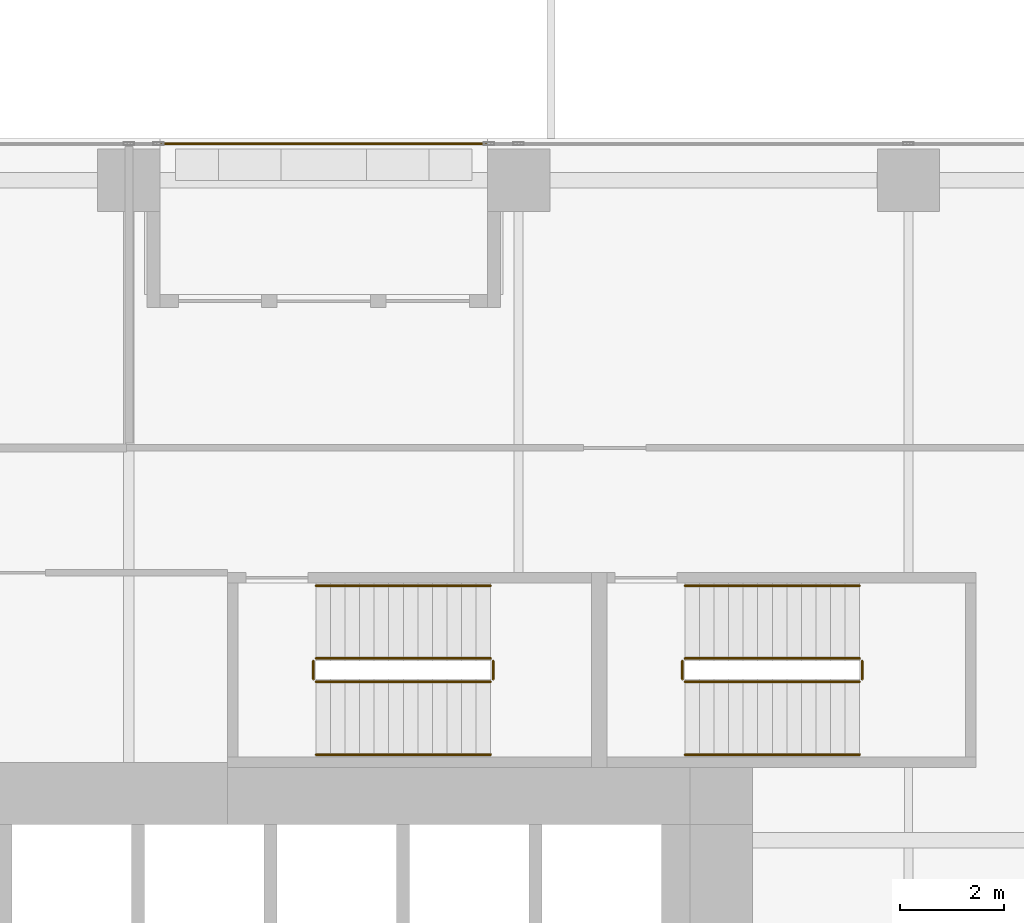
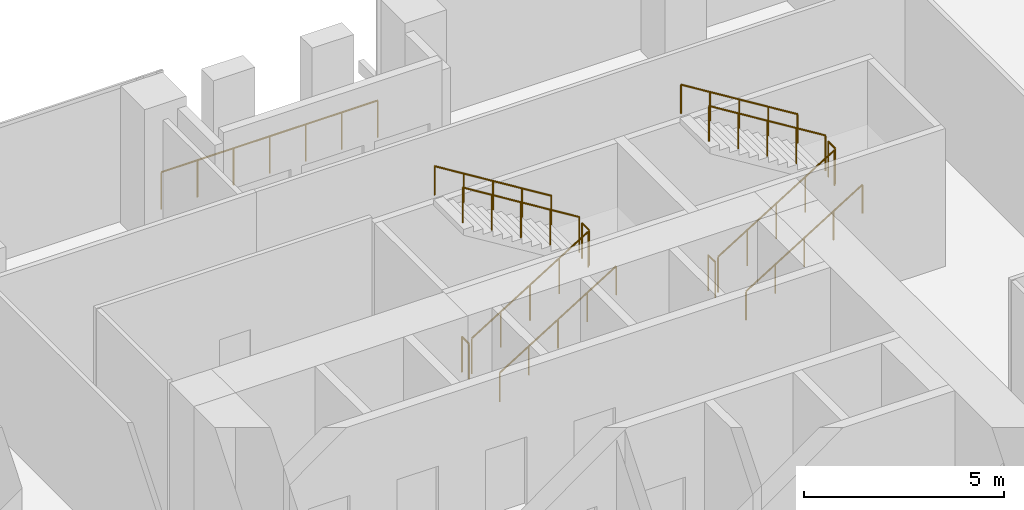
# One storey, part 32 of 33: 13 railings.
"""IFC4 building model written with IfcOpenShell, lengths in metres."""

from ifc_helpers import new_model, si_unit, direction, frame, origin, origin_2d, place, context, subcontext, project, spatial, circle, extrude, source, transform, mapped, material, type_object, element, save


model = new_model("IFC4")

# Units and contexts
model_context = context("Model", 3, precision=1e-05, world=origin(), true_north=direction((0.0, 1.0)))
body_context = subcontext(model_context, "Body", "Model", "MODEL_VIEW")
ifc_project = project(units=[si_unit("LENGTHUNIT", "METRE"), si_unit("AREAUNIT", "SQUARE_METRE"), si_unit("VOLUMEUNIT", "CUBIC_METRE"), si_unit("PLANEANGLEUNIT", "RADIAN"), si_unit("MASSUNIT", "GRAM", prefix="KILO")], contexts=[model_context])

# Site, building, storey
site_placement = place(None, origin())
site = spatial("IfcSite", under=ifc_project, at=site_placement, CompositionType="ELEMENT")
building_placement = place(site_placement, origin())
building = spatial("IfcBuilding", under=site, at=building_placement, Name="Khomas Fold Tower", CompositionType="ELEMENT")
storey_placement = place(building_placement, frame((0.0, 0.0, 78.0)))
storey = spatial("IfcBuildingStorey", under=building, at=storey_placement, Name="L16", CompositionType="ELEMENT", Elevation=78.0)

# Railings
ifc_material_1 = material(Name="Powder-coated steel", Category="steel")
railing_type_1 = type_object("IfcRailingType", Name="Balcony guard", PredefinedType="GUARDRAIL", material=ifc_material_1)
shared_shape_1 = source(origin(), body_context, "Body", "SweptSolid", [
    extrude(circle(Radius=0.02490234375, at=origin_2d()), frame((0.0, 0.0, 1.125), z_axis=(1.0, 0.0, 0.0), x_axis=(0.0, 1.0, 0.0)), (0.0, 0.0, 1.0), 6.240234375),
    extrude(circle(Radius=0.02001953125, at=origin_2d()), origin(), (0.0, 0.0, 1.0), 1.099853515625),
    extrude(circle(Radius=0.02001953125, at=origin_2d()), frame((1.0400390625, 0.0, 0.0)), (0.0, 0.0, 1.0), 1.099853515625),
    extrude(circle(Radius=0.02001953125, at=origin_2d()), frame((2.080078125, 0.0, 0.0)), (0.0, 0.0, 1.0), 1.099853515625),
    extrude(circle(Radius=0.02001953125, at=origin_2d()), frame((3.1201171875, 0.0, 0.0)), (0.0, 0.0, 1.0), 1.099853515625),
    extrude(circle(Radius=0.02001953125, at=origin_2d()), frame((4.16015625, 0.0, 0.0)), (0.0, 0.0, 1.0), 1.099853515625),
    extrude(circle(Radius=0.02001953125, at=origin_2d()), frame((5.2001953125, 0.0, 0.0)), (0.0, 0.0, 1.0), 1.099853515625),
    extrude(circle(Radius=0.02001953125, at=origin_2d()), frame((6.240234375, 0.0, 0.0)), (0.0, 0.0, 1.0), 1.099853515625),
])
railing_1_placement = place(storey_placement, frame((12.6298828125, 53.89990234375, -0.044921875)))
element("IfcRailing", 1, at=railing_1_placement, inside=storey, type_object=railing_type_1, Name="Balcony guard BAL-L16-N1", PredefinedType="GUARDRAIL", context=body_context, shape_type="MappedRepresentation", body=[
    mapped(shared_shape_1, transform((0.0, 0.0, 0.0))),
])
ifc_material_2 = material(Name="Steel balustrade", Category="steel")
railing_type_2 = type_object("IfcRailingType", Name="Stair guard", PredefinedType="GUARDRAIL", material=ifc_material_2)
shared_shape_2 = source(origin(), body_context, "Body", "SweptSolid", [
    extrude(circle(Radius=0.02392578125, at=origin_2d()), frame((0.0, 0.0, 1.076171875), z_axis=(0.850606129759, 0.0, 0.525803396734), x_axis=(0.0, 1.0, 0.0)), (0.0, 0.0, 1.0), 3.949951171875),
    extrude(circle(Radius=0.02099609375, at=origin_2d()), origin(), (0.0, 0.0, 1.0), 1.052001953125),
    extrude(circle(Radius=0.02099609375, at=origin_2d()), frame((0.83984375, 0.0, 0.519287109375)), (0.0, 0.0, 1.0), 1.052001953125),
    extrude(circle(Radius=0.02099609375, at=origin_2d()), frame((1.679931640625, 0.0, 1.03857421875)), (0.0, 0.0, 1.0), 1.052001953125),
    extrude(circle(Radius=0.02099609375, at=origin_2d()), frame((2.52001953125, 0.0, 1.5576171875)), (0.0, 0.0, 1.0), 1.052001953125),
    extrude(circle(Radius=0.02099609375, at=origin_2d()), frame((3.35986328125, 0.0, 2.076904296875)), (0.0, 0.0, 1.0), 1.052001953125),
])
railing_2_placement = place(storey_placement, frame((15.60009765625, 43.550048828125, 0.173095703125)))
element("IfcRailing", 2, at=railing_2_placement, inside=storey, type_object=railing_type_2, Name="L16 ST1 stair guard 1", PredefinedType="GUARDRAIL", context=body_context, shape_type="MappedRepresentation", body=[
    mapped(shared_shape_2, transform((0.0, 0.0, 0.0))),
])
shared_shape_3 = source(origin(), body_context, "Body", "SweptSolid", [
    extrude(circle(Radius=0.02392578125, at=origin_2d()), frame((0.0, 0.0, 1.076171875), z_axis=(0.0, 1.0, 0.0), x_axis=(-1.0, 0.0, 0.0)), (0.0, 0.0, 1.0), 0.349853515625),
    extrude(circle(Radius=0.02099609375, at=origin_2d()), origin(), (0.0, 0.0, 1.0), 1.052001953125),
    extrude(circle(Radius=0.02099609375, at=origin_2d()), frame((0.0, 0.349853515625, 0.0)), (0.0, 0.0, 1.0), 1.052001953125),
])
for number, where, name in (
    (3, (19.010009765625, 43.60009765625, 2.25), "L16 ST1 stair guard 2"),
    (4, (15.550048828125, 43.60009765625, 0.0), "L16 ST1 stair guard 4"),
    (5, (26.110107421875, 43.60009765625, 2.25), "L16 ST3 stair guard 2"),
    (6, (22.64990234375, 43.60009765625, 0.0), "L16 ST3 stair guard 4"),
):
    element("IfcRailing", number, at=place(storey_placement, frame(where)), inside=storey, type_object=railing_type_2, Name=name, PredefinedType="GUARDRAIL", context=body_context, shape_type="MappedRepresentation", body=[
        mapped(shared_shape_3, transform((0.0, 0.0, 0.0))),
    ])
shared_shape_4 = source(origin(), body_context, "Body", "SweptSolid", [
    extrude(circle(Radius=0.02392578125, at=origin_2d()), frame((0.0, 0.0, 1.076171875), z_axis=(-0.850606129759, 0.0, 0.525803396734), x_axis=(0.0, -1.0, 0.0)), (0.0, 0.0, 1.0), 3.949951171875),
    extrude(circle(Radius=0.02099609375, at=origin_2d()), origin(), (0.0, 0.0, 1.0), 1.052001953125),
    extrude(circle(Radius=0.02099609375, at=origin_2d()), frame((-0.83984375, 0.0, 0.519287109375)), (0.0, 0.0, 1.0), 1.052001953125),
    extrude(circle(Radius=0.02099609375, at=origin_2d()), frame((-1.679931640625, 0.0, 1.03857421875)), (0.0, 0.0, 1.0), 1.052001953125),
    extrude(circle(Radius=0.02099609375, at=origin_2d()), frame((-2.52001953125, 0.0, 1.5576171875)), (0.0, 0.0, 1.0), 1.052001953125),
    extrude(circle(Radius=0.02099609375, at=origin_2d()), frame((-3.35986328125, 0.0, 2.076904296875)), (0.0, 0.0, 1.0), 1.052001953125),
])
railing_3_placement = place(storey_placement, frame((18.9599609375, 44.0, 2.423095703125)))
element("IfcRailing", 7, at=railing_3_placement, inside=storey, type_object=railing_type_2, Name="L16 ST1 stair guard 3", PredefinedType="GUARDRAIL", context=body_context, shape_type="MappedRepresentation", body=[
    mapped(shared_shape_4, transform((0.0, 0.0, 0.0))),
])
ifc_material_3 = material(Name="Steel handrail", Category="steel")
railing_type_3 = type_object("IfcRailingType", Name="Stair handrail", PredefinedType="HANDRAIL", material=ifc_material_3)
shared_shape_5 = source(origin(), body_context, "Body", "SweptSolid", [
    extrude(circle(Radius=0.02392578125, at=origin_2d()), frame((0.0, 0.0, 0.8759765625), z_axis=(0.850606129759, 0.0, 0.525803396734), x_axis=(0.0, 1.0, 0.0)), (0.0, 0.0, 1.0), 3.949951171875),
    extrude(circle(Radius=0.02099609375, at=origin_2d()), origin(), (0.0, 0.0, 1.0), 0.851806640625),
    extrude(circle(Radius=0.02099609375, at=origin_2d()), frame((0.83984375, 0.0, 0.519287109375)), (0.0, 0.0, 1.0), 0.851806640625),
    extrude(circle(Radius=0.02099609375, at=origin_2d()), frame((1.679931640625, 0.0, 1.03857421875)), (0.0, 0.0, 1.0), 0.851806640625),
    extrude(circle(Radius=0.02099609375, at=origin_2d()), frame((2.52001953125, 0.0, 1.5576171875)), (0.0, 0.0, 1.0), 0.851806640625),
    extrude(circle(Radius=0.02099609375, at=origin_2d()), frame((3.35986328125, 0.0, 2.076904296875)), (0.0, 0.0, 1.0), 0.851806640625),
])
railing_4_placement = place(storey_placement, frame((15.60009765625, 42.14990234375, 0.173095703125)))
element("IfcRailing", 8, at=railing_4_placement, inside=storey, type_object=railing_type_3, Name="L16 ST1 stair handrail 1", PredefinedType="HANDRAIL", context=body_context, shape_type="MappedRepresentation", body=[
    mapped(shared_shape_5, transform((0.0, 0.0, 0.0))),
])
shared_shape_6 = source(origin(), body_context, "Body", "SweptSolid", [
    extrude(circle(Radius=0.02392578125, at=origin_2d()), frame((0.0, 0.0, 0.8759765625), z_axis=(-0.850606129759, 0.0, 0.525803396734), x_axis=(0.0, -1.0, 0.0)), (0.0, 0.0, 1.0), 3.949951171875),
    extrude(circle(Radius=0.02099609375, at=origin_2d()), origin(), (0.0, 0.0, 1.0), 0.851806640625),
    extrude(circle(Radius=0.02099609375, at=origin_2d()), frame((-0.83984375, 0.0, 0.519287109375)), (0.0, 0.0, 1.0), 0.851806640625),
    extrude(circle(Radius=0.02099609375, at=origin_2d()), frame((-1.679931640625, 0.0, 1.03857421875)), (0.0, 0.0, 1.0), 0.851806640625),
    extrude(circle(Radius=0.02099609375, at=origin_2d()), frame((-2.52001953125, 0.0, 1.5576171875)), (0.0, 0.0, 1.0), 0.851806640625),
    extrude(circle(Radius=0.02099609375, at=origin_2d()), frame((-3.35986328125, 0.0, 2.076904296875)), (0.0, 0.0, 1.0), 0.851806640625),
])
railing_5_placement = place(storey_placement, frame((18.9599609375, 45.39990234375, 2.423095703125)))
element("IfcRailing", 9, at=railing_5_placement, inside=storey, type_object=railing_type_3, Name="L16 ST1 stair handrail 2", PredefinedType="HANDRAIL", context=body_context, shape_type="MappedRepresentation", body=[
    mapped(shared_shape_6, transform((0.0, 0.0, 0.0))),
])
shared_shape_7 = source(origin(), body_context, "Body", "SweptSolid", [
    extrude(circle(Radius=0.02392578125, at=origin_2d()), frame((0.0, 0.0, 1.076171875), z_axis=(0.850623216509, 0.0, 0.525775754039), x_axis=(0.0, 1.0, 0.0)), (0.0, 0.0, 1.0), 3.9501953125),
    extrude(circle(Radius=0.02099609375, at=origin_2d()), origin(), (0.0, 0.0, 1.0), 1.052001953125),
    extrude(circle(Radius=0.02099609375, at=origin_2d()), frame((0.840087890625, 0.0, 0.519287109375)), (0.0, 0.0, 1.0), 1.052001953125),
    extrude(circle(Radius=0.02099609375, at=origin_2d()), frame((1.68017578125, 0.0, 1.03857421875)), (0.0, 0.0, 1.0), 1.052001953125),
    extrude(circle(Radius=0.02099609375, at=origin_2d()), frame((2.52001953125, 0.0, 1.5576171875)), (0.0, 0.0, 1.0), 1.052001953125),
    extrude(circle(Radius=0.02099609375, at=origin_2d()), frame((3.360107421875, 0.0, 2.076904296875)), (0.0, 0.0, 1.0), 1.052001953125),
])
railing_6_placement = place(storey_placement, frame((22.699951171875, 43.550048828125, 0.173095703125)))
element("IfcRailing", 10, at=railing_6_placement, inside=storey, type_object=railing_type_2, Name="L16 ST3 stair guard 1", PredefinedType="GUARDRAIL", context=body_context, shape_type="MappedRepresentation", body=[
    mapped(shared_shape_7, transform((0.0, 0.0, 0.0))),
])
shared_shape_8 = source(origin(), body_context, "Body", "SweptSolid", [
    extrude(circle(Radius=0.02392578125, at=origin_2d()), frame((0.0, 0.0, 1.076171875), z_axis=(-0.850623216509, 0.0, 0.525775754039), x_axis=(0.0, -1.0, 0.0)), (0.0, 0.0, 1.0), 3.9501953125),
    extrude(circle(Radius=0.02099609375, at=origin_2d()), origin(), (0.0, 0.0, 1.0), 1.052001953125),
    extrude(circle(Radius=0.02099609375, at=origin_2d()), frame((-0.840087890625, 0.0, 0.519287109375)), (0.0, 0.0, 1.0), 1.052001953125),
    extrude(circle(Radius=0.02099609375, at=origin_2d()), frame((-1.68017578125, 0.0, 1.03857421875)), (0.0, 0.0, 1.0), 1.052001953125),
    extrude(circle(Radius=0.02099609375, at=origin_2d()), frame((-2.52001953125, 0.0, 1.5576171875)), (0.0, 0.0, 1.0), 1.052001953125),
    extrude(circle(Radius=0.02099609375, at=origin_2d()), frame((-3.360107421875, 0.0, 2.076904296875)), (0.0, 0.0, 1.0), 1.052001953125),
])
railing_7_placement = place(storey_placement, frame((26.06005859375, 44.0, 2.423095703125)))
element("IfcRailing", 11, at=railing_7_placement, inside=storey, type_object=railing_type_2, Name="L16 ST3 stair guard 3", PredefinedType="GUARDRAIL", context=body_context, shape_type="MappedRepresentation", body=[
    mapped(shared_shape_8, transform((0.0, 0.0, 0.0))),
])
shared_shape_9 = source(origin(), body_context, "Body", "SweptSolid", [
    extrude(circle(Radius=0.02392578125, at=origin_2d()), frame((0.0, 0.0, 0.8759765625), z_axis=(0.850623216509, 0.0, 0.525775754039), x_axis=(0.0, 1.0, 0.0)), (0.0, 0.0, 1.0), 3.9501953125),
    extrude(circle(Radius=0.02099609375, at=origin_2d()), origin(), (0.0, 0.0, 1.0), 0.851806640625),
    extrude(circle(Radius=0.02099609375, at=origin_2d()), frame((0.840087890625, 0.0, 0.519287109375)), (0.0, 0.0, 1.0), 0.851806640625),
    extrude(circle(Radius=0.02099609375, at=origin_2d()), frame((1.68017578125, 0.0, 1.03857421875)), (0.0, 0.0, 1.0), 0.851806640625),
    extrude(circle(Radius=0.02099609375, at=origin_2d()), frame((2.52001953125, 0.0, 1.5576171875)), (0.0, 0.0, 1.0), 0.851806640625),
    extrude(circle(Radius=0.02099609375, at=origin_2d()), frame((3.360107421875, 0.0, 2.076904296875)), (0.0, 0.0, 1.0), 0.851806640625),
])
railing_8_placement = place(storey_placement, frame((22.699951171875, 42.14990234375, 0.173095703125)))
element("IfcRailing", 12, at=railing_8_placement, inside=storey, type_object=railing_type_3, Name="L16 ST3 stair handrail 1", PredefinedType="HANDRAIL", context=body_context, shape_type="MappedRepresentation", body=[
    mapped(shared_shape_9, transform((0.0, 0.0, 0.0))),
])
shared_shape_10 = source(origin(), body_context, "Body", "SweptSolid", [
    extrude(circle(Radius=0.02392578125, at=origin_2d()), frame((0.0, 0.0, 0.8759765625), z_axis=(-0.850623216509, 0.0, 0.525775754039), x_axis=(0.0, -1.0, 0.0)), (0.0, 0.0, 1.0), 3.9501953125),
    extrude(circle(Radius=0.02099609375, at=origin_2d()), origin(), (0.0, 0.0, 1.0), 0.851806640625),
    extrude(circle(Radius=0.02099609375, at=origin_2d()), frame((-0.840087890625, 0.0, 0.519287109375)), (0.0, 0.0, 1.0), 0.851806640625),
    extrude(circle(Radius=0.02099609375, at=origin_2d()), frame((-1.68017578125, 0.0, 1.03857421875)), (0.0, 0.0, 1.0), 0.851806640625),
    extrude(circle(Radius=0.02099609375, at=origin_2d()), frame((-2.52001953125, 0.0, 1.5576171875)), (0.0, 0.0, 1.0), 0.851806640625),
    extrude(circle(Radius=0.02099609375, at=origin_2d()), frame((-3.360107421875, 0.0, 2.076904296875)), (0.0, 0.0, 1.0), 0.851806640625),
])
railing_9_placement = place(storey_placement, frame((26.06005859375, 45.39990234375, 2.423095703125)))
element("IfcRailing", 13, at=railing_9_placement, inside=storey, type_object=railing_type_3, Name="L16 ST3 stair handrail 2", PredefinedType="HANDRAIL", context=body_context, shape_type="MappedRepresentation", body=[
    mapped(shared_shape_10, transform((0.0, 0.0, 0.0))),
])

save(model, "model.ifc")
